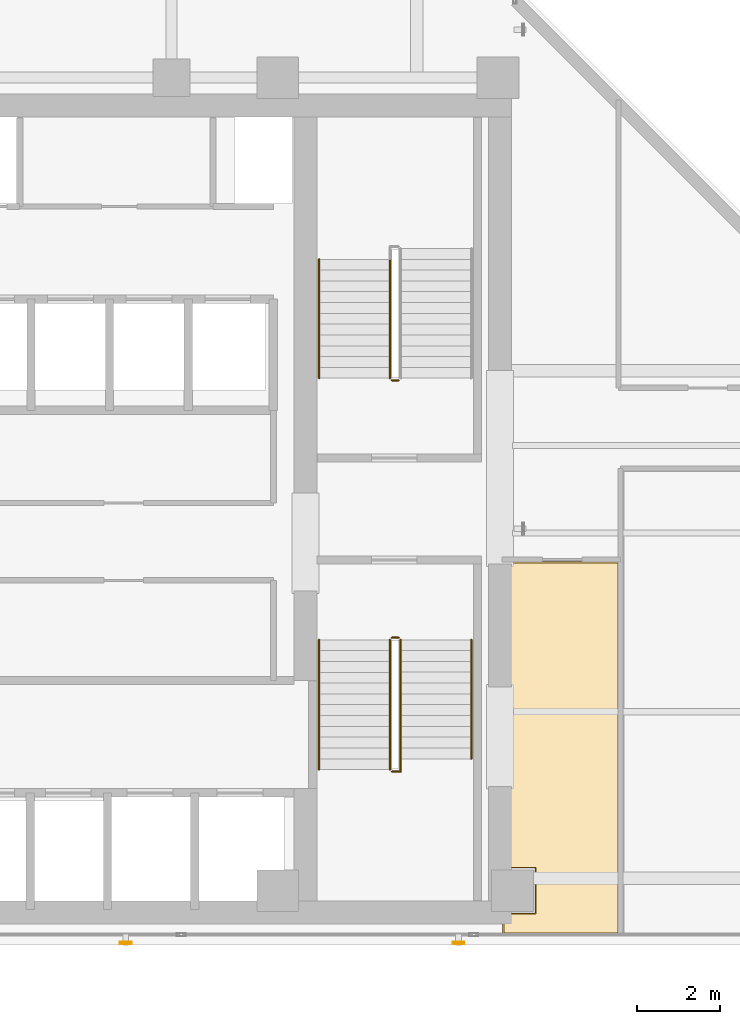
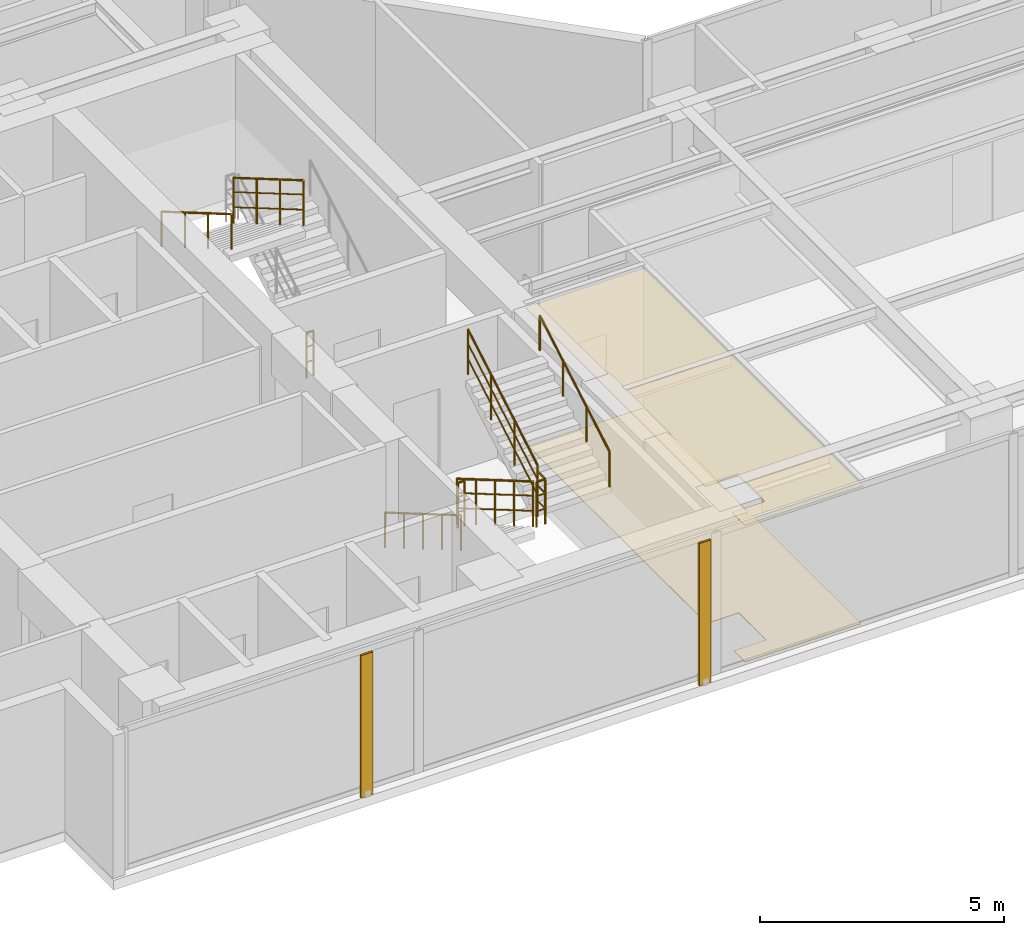
# One storey, part 20 of 23: 9 railings, 2 coverings, 2 shading devices.
"""IFC4 building model written with IfcOpenShell, lengths in metres."""

from ifc_helpers import new_model, si_unit, direction, frame, origin, origin_2d, place, context, subcontext, project, spatial, polyline, hollow_rectangle, circle, outline, extrude, material, layer, layer_set, material_profile, profile_set, type_object, element, save


model = new_model("IFC4")

# Units and contexts
model_context = context("Model", 3, precision=1e-05, world=origin(), true_north=direction((0.0, 1.0)))
body_context = subcontext(model_context, "Body", "Model", "MODEL_VIEW")
ifc_project = project(units=[si_unit("LENGTHUNIT", "METRE"), si_unit("AREAUNIT", "SQUARE_METRE"), si_unit("VOLUMEUNIT", "CUBIC_METRE"), si_unit("PLANEANGLEUNIT", "RADIAN"), si_unit("MASSUNIT", "GRAM", prefix="KILO")], contexts=[model_context])

# Site, building, storey
site_placement = place(None, origin())
site = spatial("IfcSite", under=ifc_project, at=site_placement, CompositionType="ELEMENT")
building_placement = place(site_placement, origin())
building = spatial("IfcBuilding", under=site, at=building_placement, Name="Kolvaren Waterfront Exchange", CompositionType="ELEMENT")
storey_placement = place(building_placement, frame((0.0, 0.0, 250.10009765625)))
storey = spatial("IfcBuildingStorey", under=building, at=storey_placement, Name="L64", CompositionType="ELEMENT", Elevation=250.10009765625)

# Covering
ifc_material_1 = material(Name="Mineral fibre acoustic ceiling tile")
ifc_layer_1 = layer(ifc_material_1, 0.02490234375, Name="Mineral fibre acoustic ceiling tile")
ifc_layer_set_1 = layer_set([ifc_layer_1], Name="Mineral fibre acoustic ceiling tile")
covering_type_1 = type_object("IfcCoveringType", Name="ARC-CEIL-ACOUSTIC-25", PredefinedType="CEILING", material=ifc_layer_set_1)
covering_1_placement = place(storey_placement, frame((0.0, 0.0, 3.44482421875)))
element("IfcCovering", 1, at=covering_1_placement, inside=storey, type_object=covering_type_1, Name="L64 acoustic suspended ceiling 2", PredefinedType="CEILING", context=body_context, shape_type="SweptSolid", body=[
    extrude(outline(polyline([(20.864990234375, 5.43994140625), (21.639892578125, 5.43994140625), (21.639892578125, 4.360107421875), (20.864990234375, 4.360107421875), (20.864990234375, 3.844970703125), (23.675048828125, 3.844970703125), (23.675048828125, 12.81494140625), (20.864990234375, 12.81494140625), (20.864990234375, 5.43994140625)])), origin(), (0.0, 0.0, 1.0), 0.025146484375),
])

# Shading devices
ifc_material_2 = material(Name="Anodised bronze aluminium 6063-T6", Category="aluminium")
ifc_material_profile = material_profile(ifc_material_2, hollow_rectangle(XDim=0.054931640625, YDim=0.280029296875, WallThickness=0.00439453125, at=origin_2d()), Name="BRZ-FIN-280x55x4.5")
ifc_profile_set = profile_set([ifc_material_profile], Name="Anodised bronze aluminium 6063-T6")
shading_device_type = type_object("IfcShadingDeviceType", Name="ARC-FIN-280", PredefinedType="USERDEFINED", material=ifc_profile_set)
for number, where, z_axis, x_axis, name in (
    (2, (11.800048828125, 3.639892578125, 0.0), (0.0, 0.0, 1.0), (0.0, -1.0, 0.0), "L64 anodised bronze solar shading fin FIN-L64-S1"),
    (3, (19.800048828125, 3.639892578125, 0.0), (0.0, 0.0, 1.0), (0.0, -1.0, 0.0), "L64 anodised bronze solar shading fin FIN-L64-S2"),
):
    element("IfcShadingDevice", number, at=place(storey_placement, frame(where, z_axis=z_axis, x_axis=x_axis)), inside=storey, type_object=shading_device_type, Name=name, ObjectType="SOLAR FIN", PredefinedType="USERDEFINED", context=body_context, shape_type="SweptSolid", body=[
        extrude(hollow_rectangle(XDim=0.054931640625, YDim=0.280029296875, WallThickness=0.00439453125, at=origin_2d()), origin(), (0.0, 0.0, 1.0), 3.559814453125),
    ])

# Covering
ifc_material_3 = material(Name="Slip-resistant porcelain tile")
ifc_layer_2 = layer(ifc_material_3, 0.014892578125, Name="Slip-resistant porcelain tile")
ifc_layer_set_2 = layer_set([ifc_layer_2], Name="Slip-resistant porcelain tile")
covering_type_2 = type_object("IfcCoveringType", Name="ARC-FLR-PORC-15", PredefinedType="FLOORING", material=ifc_layer_set_2)
covering_2_placement = place(storey_placement, origin())
element("IfcCovering", 4, at=covering_2_placement, inside=storey, type_object=covering_type_2, Name="L64 floor finish 2", PredefinedType="FLOORING", context=body_context, shape_type="SweptSolid", body=[
    extrude(outline(polyline([(20.89990234375, 4.340087890625), (20.89990234375, 3.8798828125), (23.639892578125, 3.8798828125), (23.639892578125, 12.780029296875), (20.89990234375, 12.780029296875), (20.89990234375, 5.4599609375), (21.659912109375, 5.4599609375), (21.659912109375, 4.340087890625), (20.89990234375, 4.340087890625)])), origin(), (0.0, 0.0, 1.0), 0.014892578125),
])

# Railings
ifc_material_4 = material(Name="Stainless steel 316", Category="steel")
railing_type_1 = type_object("IfcRailingType", Name="ARC-GUARD-STAIR", PredefinedType="GUARDRAIL", material=ifc_material_4)
railing_1_placement = place(storey_placement, frame((18.14990234375, 10.929931640625, 0.15185546875)))
element("IfcRailing", 5, at=railing_1_placement, inside=storey, type_object=railing_type_1, Name="L64 ST1 stair guard 1", PredefinedType="GUARDRAIL", context=body_context, shape_type="SweptSolid", body=[
    extrude(circle(Radius=0.02392578125, at=origin_2d()), frame((0.0, 0.0, 1.1259765625), z_axis=(0.0, -0.86329090724, 0.504706656858), x_axis=(1.0, 0.0, 0.0)), (0.0, 0.0, 1.0), 3.614013671875),
    extrude(circle(Radius=0.01611328125, at=origin_2d()), frame((0.0, 0.0, 0.390869140625), z_axis=(0.0, -0.86329090724, 0.504706656858), x_axis=(1.0, 0.0, 0.0)), (0.0, 0.0, 1.0), 3.614013671875),
    extrude(circle(Radius=0.01611328125, at=origin_2d()), frame((0.0, 0.0, 0.7705078125), z_axis=(0.0, -0.86329090724, 0.504706656858), x_axis=(1.0, 0.0, 0.0)), (0.0, 0.0, 1.0), 3.614013671875),
    extrude(circle(Radius=0.02099609375, at=origin_2d()), origin(), (0.0, 0.0, 1.0), 1.101806640625),
    extrude(circle(Radius=0.02099609375, at=origin_2d()), frame((0.0, -0.780029296875, 0.4560546875)), (0.0, 0.0, 1.0), 1.101806640625),
    extrude(circle(Radius=0.02099609375, at=origin_2d()), frame((0.0, -1.56005859375, 0.912109375)), (0.0, 0.0, 1.0), 1.101806640625),
    extrude(circle(Radius=0.02099609375, at=origin_2d()), frame((0.0, -2.33984375, 1.367919921875)), (0.0, 0.0, 1.0), 1.101806640625),
    extrude(circle(Radius=0.02099609375, at=origin_2d()), frame((0.0, -3.119873046875, 1.823974609375)), (0.0, 0.0, 1.0), 1.101806640625),
])
railing_2_placement = place(storey_placement, frame((18.199951171875, 7.760009765625, 1.975830078125)))
element("IfcRailing", 6, at=railing_2_placement, inside=storey, type_object=railing_type_1, Name="L64 ST1 stair guard 2", PredefinedType="GUARDRAIL", context=body_context, shape_type="SweptSolid", body=[
    extrude(circle(Radius=0.02392578125, at=origin_2d()), frame((0.0, 0.0, 1.1259765625), z_axis=(1.0, 0.0, 0.0), x_axis=(0.0, 1.0, 0.0)), (0.0, 0.0, 1.0), 0.2099609375),
    extrude(circle(Radius=0.01611328125, at=origin_2d()), frame((0.0, 0.0, 0.390869140625), z_axis=(1.0, 0.0, 0.0), x_axis=(0.0, 1.0, 0.0)), (0.0, 0.0, 1.0), 0.2099609375),
    extrude(circle(Radius=0.01611328125, at=origin_2d()), frame((0.0, 0.0, 0.7705078125), z_axis=(1.0, 0.0, 0.0), x_axis=(0.0, 1.0, 0.0)), (0.0, 0.0, 1.0), 0.2099609375),
    extrude(circle(Radius=0.02392578125, at=origin_2d()), frame((0.2099609375, 0.0, 1.1259765625), z_axis=(0.0, 1.0, 0.0), x_axis=(-1.0, 0.0, 0.0)), (0.0, 0.0, 1.0), 0.31005859375),
    extrude(circle(Radius=0.01611328125, at=origin_2d()), frame((0.2099609375, 0.0, 0.390869140625), z_axis=(0.0, 1.0, 0.0), x_axis=(-1.0, 0.0, 0.0)), (0.0, 0.0, 1.0), 0.31005859375),
    extrude(circle(Radius=0.01611328125, at=origin_2d()), frame((0.2099609375, 0.0, 0.7705078125), z_axis=(0.0, 1.0, 0.0), x_axis=(-1.0, 0.0, 0.0)), (0.0, 0.0, 1.0), 0.31005859375),
    extrude(circle(Radius=0.02099609375, at=origin_2d()), origin(), (0.0, 0.0, 1.0), 1.101806640625),
    extrude(circle(Radius=0.02099609375, at=origin_2d()), frame((0.2099609375, 0.0, 0.0)), (0.0, 0.0, 1.0), 1.101806640625),
    extrude(circle(Radius=0.02099609375, at=origin_2d()), frame((0.2099609375, 0.31005859375, 0.0)), (0.0, 0.0, 1.0), 1.101806640625),
])
railing_3_placement = place(storey_placement, frame((18.409912109375, 8.070068359375, 2.1279296875)))
element("IfcRailing", 7, at=railing_3_placement, inside=storey, type_object=railing_type_1, Name="L64 ST1 stair guard 3", PredefinedType="GUARDRAIL", context=body_context, shape_type="SweptSolid", body=[
    extrude(circle(Radius=0.02392578125, at=origin_2d()), frame((0.0, 0.0, 1.1259765625), z_axis=(0.0, 0.86330272217, 0.504686447108), x_axis=(-1.0, 0.0, 0.0)), (0.0, 0.0, 1.0), 3.312744140625),
    extrude(circle(Radius=0.01611328125, at=origin_2d()), frame((0.0, 0.0, 0.390869140625), z_axis=(0.0, 0.86330272217, 0.504686447108), x_axis=(-1.0, 0.0, 0.0)), (0.0, 0.0, 1.0), 3.312744140625),
    extrude(circle(Radius=0.01611328125, at=origin_2d()), frame((0.0, 0.0, 0.7705078125), z_axis=(0.0, 0.86330272217, 0.504686447108), x_axis=(-1.0, 0.0, 0.0)), (0.0, 0.0, 1.0), 3.312744140625),
    extrude(circle(Radius=0.02099609375, at=origin_2d()), origin(), (0.0, 0.0, 1.0), 1.101806640625),
    extrude(circle(Radius=0.02099609375, at=origin_2d()), frame((0.0, 0.953369140625, 0.557373046875)), (0.0, 0.0, 1.0), 1.101806640625),
    extrude(circle(Radius=0.02099609375, at=origin_2d()), frame((0.0, 1.906494140625, 1.114501953125)), (0.0, 0.0, 1.0), 1.101806640625),
    extrude(circle(Radius=0.02099609375, at=origin_2d()), frame((0.0, 2.85986328125, 1.671875)), (0.0, 0.0, 1.0), 1.101806640625),
])
railing_4_placement = place(storey_placement, frame((18.199951171875, 10.97998046875, 0.0)))
element("IfcRailing", 8, at=railing_4_placement, inside=storey, type_object=railing_type_1, Name="L64 ST1 stair guard 4", PredefinedType="GUARDRAIL", context=body_context, shape_type="SweptSolid", body=[
    extrude(circle(Radius=0.02392578125, at=origin_2d()), frame((0.0, 0.0, 1.1259765625), z_axis=(1.0, 0.0, 0.0), x_axis=(0.0, 1.0, 0.0)), (0.0, 0.0, 1.0), 0.16015625),
    extrude(circle(Radius=0.01611328125, at=origin_2d()), frame((0.0, 0.0, 0.390869140625), z_axis=(1.0, 0.0, 0.0), x_axis=(0.0, 1.0, 0.0)), (0.0, 0.0, 1.0), 0.16015625),
    extrude(circle(Radius=0.01611328125, at=origin_2d()), frame((0.0, 0.0, 0.7705078125), z_axis=(1.0, 0.0, 0.0), x_axis=(0.0, 1.0, 0.0)), (0.0, 0.0, 1.0), 0.16015625),
    extrude(circle(Radius=0.02099609375, at=origin_2d()), origin(), (0.0, 0.0, 1.0), 1.101806640625),
    extrude(circle(Radius=0.02099609375, at=origin_2d()), frame((0.16015625, 0.0, 0.0)), (0.0, 0.0, 1.0), 1.101806640625),
])
railing_5_placement = place(storey_placement, frame((18.14990234375, 20.080078125, 2.1279296875)))
element("IfcRailing", 9, at=railing_5_placement, inside=storey, type_object=railing_type_1, Name="L64 ST2 stair guard 3", PredefinedType="GUARDRAIL", context=body_context, shape_type="SweptSolid", body=[
    extrude(circle(Radius=0.02392578125, at=origin_2d()), frame((0.0, 0.0, 1.1259765625), z_axis=(0.0, -0.863321491973, 0.504654338629), x_axis=(1.0, 0.0, 0.0)), (0.0, 0.0, 1.0), 3.31298828125),
    extrude(circle(Radius=0.01611328125, at=origin_2d()), frame((0.0, 0.0, 0.390869140625), z_axis=(0.0, -0.863321491973, 0.504654338629), x_axis=(1.0, 0.0, 0.0)), (0.0, 0.0, 1.0), 3.31298828125),
    extrude(circle(Radius=0.01611328125, at=origin_2d()), frame((0.0, 0.0, 0.7705078125), z_axis=(0.0, -0.863321491973, 0.504654338629), x_axis=(1.0, 0.0, 0.0)), (0.0, 0.0, 1.0), 3.31298828125),
    extrude(circle(Radius=0.02099609375, at=origin_2d()), origin(), (0.0, 0.0, 1.0), 1.101806640625),
    extrude(circle(Radius=0.02099609375, at=origin_2d()), frame((0.0, -0.953369140625, 0.557373046875)), (0.0, 0.0, 1.0), 1.101806640625),
    extrude(circle(Radius=0.02099609375, at=origin_2d()), frame((0.0, -1.90673828125, 1.114501953125)), (0.0, 0.0, 1.0), 1.101806640625),
    extrude(circle(Radius=0.02099609375, at=origin_2d()), frame((0.0, -2.860107421875, 1.671875)), (0.0, 0.0, 1.0), 1.101806640625),
])
railing_6_placement = place(storey_placement, frame((18.360107421875, 17.169921875, 0.0)))
element("IfcRailing", 10, at=railing_6_placement, inside=storey, type_object=railing_type_1, Name="L64 ST2 stair guard 4", PredefinedType="GUARDRAIL", context=body_context, shape_type="SweptSolid", body=[
    extrude(circle(Radius=0.02392578125, at=origin_2d()), frame((0.0, 0.0, 1.1259765625), z_axis=(-1.0, 0.0, 0.0), x_axis=(0.0, -1.0, 0.0)), (0.0, 0.0, 1.0), 0.16015625),
    extrude(circle(Radius=0.01611328125, at=origin_2d()), frame((0.0, 0.0, 0.390869140625), z_axis=(-1.0, 0.0, 0.0), x_axis=(0.0, -1.0, 0.0)), (0.0, 0.0, 1.0), 0.16015625),
    extrude(circle(Radius=0.01611328125, at=origin_2d()), frame((0.0, 0.0, 0.7705078125), z_axis=(-1.0, 0.0, 0.0), x_axis=(0.0, -1.0, 0.0)), (0.0, 0.0, 1.0), 0.16015625),
    extrude(circle(Radius=0.02099609375, at=origin_2d()), origin(), (0.0, 0.0, 1.0), 1.101806640625),
    extrude(circle(Radius=0.02099609375, at=origin_2d()), frame((-0.16015625, 0.0, 0.0)), (0.0, 0.0, 1.0), 1.101806640625),
])
railing_type_2 = type_object("IfcRailingType", Name="ARC-HANDRAIL-900", PredefinedType="HANDRAIL", material=ifc_material_4)
railing_7_placement = place(storey_placement, frame((16.449951171875, 10.929931640625, 0.15185546875)))
element("IfcRailing", 11, at=railing_7_placement, inside=storey, type_object=railing_type_2, Name="L64 ST1 stair handrail 1", PredefinedType="HANDRAIL", context=body_context, shape_type="SweptSolid", body=[
    extrude(circle(Radius=0.02392578125, at=origin_2d()), frame((0.0, 0.0, 0.8759765625), z_axis=(0.0, -0.86329090724, 0.504706656858), x_axis=(1.0, 0.0, 0.0)), (0.0, 0.0, 1.0), 3.614013671875),
    extrude(circle(Radius=0.02099609375, at=origin_2d()), origin(), (0.0, 0.0, 1.0), 0.851806640625),
    extrude(circle(Radius=0.02099609375, at=origin_2d()), frame((0.0, -0.780029296875, 0.4560546875)), (0.0, 0.0, 1.0), 0.851806640625),
    extrude(circle(Radius=0.02099609375, at=origin_2d()), frame((0.0, -1.56005859375, 0.912109375)), (0.0, 0.0, 1.0), 0.851806640625),
    extrude(circle(Radius=0.02099609375, at=origin_2d()), frame((0.0, -2.33984375, 1.367919921875)), (0.0, 0.0, 1.0), 0.851806640625),
    extrude(circle(Radius=0.02099609375, at=origin_2d()), frame((0.0, -3.119873046875, 1.823974609375)), (0.0, 0.0, 1.0), 0.851806640625),
])
railing_8_placement = place(storey_placement, frame((20.110107421875, 8.070068359375, 2.1279296875)))
element("IfcRailing", 12, at=railing_8_placement, inside=storey, type_object=railing_type_2, Name="L64 ST1 stair handrail 2", PredefinedType="HANDRAIL", context=body_context, shape_type="SweptSolid", body=[
    extrude(circle(Radius=0.02392578125, at=origin_2d()), frame((0.0, 0.0, 0.8759765625), z_axis=(0.0, 0.86330272217, 0.504686447108), x_axis=(-1.0, 0.0, 0.0)), (0.0, 0.0, 1.0), 3.312744140625),
    extrude(circle(Radius=0.02099609375, at=origin_2d()), origin(), (0.0, 0.0, 1.0), 0.851806640625),
    extrude(circle(Radius=0.02099609375, at=origin_2d()), frame((0.0, 0.953369140625, 0.557373046875)), (0.0, 0.0, 1.0), 0.851806640625),
    extrude(circle(Radius=0.02099609375, at=origin_2d()), frame((0.0, 1.906494140625, 1.114501953125)), (0.0, 0.0, 1.0), 0.851806640625),
    extrude(circle(Radius=0.02099609375, at=origin_2d()), frame((0.0, 2.85986328125, 1.671875)), (0.0, 0.0, 1.0), 0.851806640625),
])
railing_9_placement = place(storey_placement, frame((16.449951171875, 20.080078125, 2.1279296875)))
element("IfcRailing", 13, at=railing_9_placement, inside=storey, type_object=railing_type_2, Name="L64 ST2 stair handrail 2", PredefinedType="HANDRAIL", context=body_context, shape_type="SweptSolid", body=[
    extrude(circle(Radius=0.02392578125, at=origin_2d()), frame((0.0, 0.0, 0.8759765625), z_axis=(0.0, -0.863321491973, 0.504654338629), x_axis=(1.0, 0.0, 0.0)), (0.0, 0.0, 1.0), 3.31298828125),
    extrude(circle(Radius=0.02099609375, at=origin_2d()), origin(), (0.0, 0.0, 1.0), 0.851806640625),
    extrude(circle(Radius=0.02099609375, at=origin_2d()), frame((0.0, -0.953369140625, 0.557373046875)), (0.0, 0.0, 1.0), 0.851806640625),
    extrude(circle(Radius=0.02099609375, at=origin_2d()), frame((0.0, -1.90673828125, 1.114501953125)), (0.0, 0.0, 1.0), 0.851806640625),
    extrude(circle(Radius=0.02099609375, at=origin_2d()), frame((0.0, -2.860107421875, 1.671875)), (0.0, 0.0, 1.0), 0.851806640625),
])

save(model, "model.ifc")
